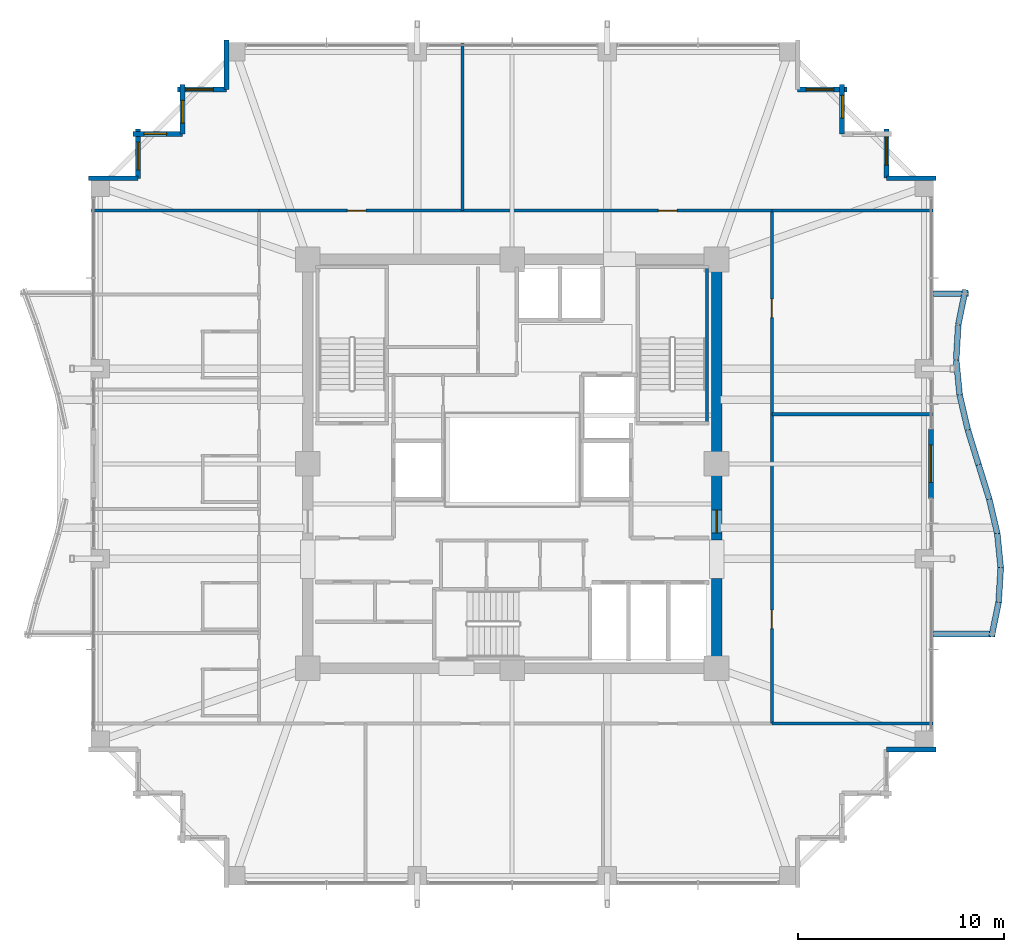
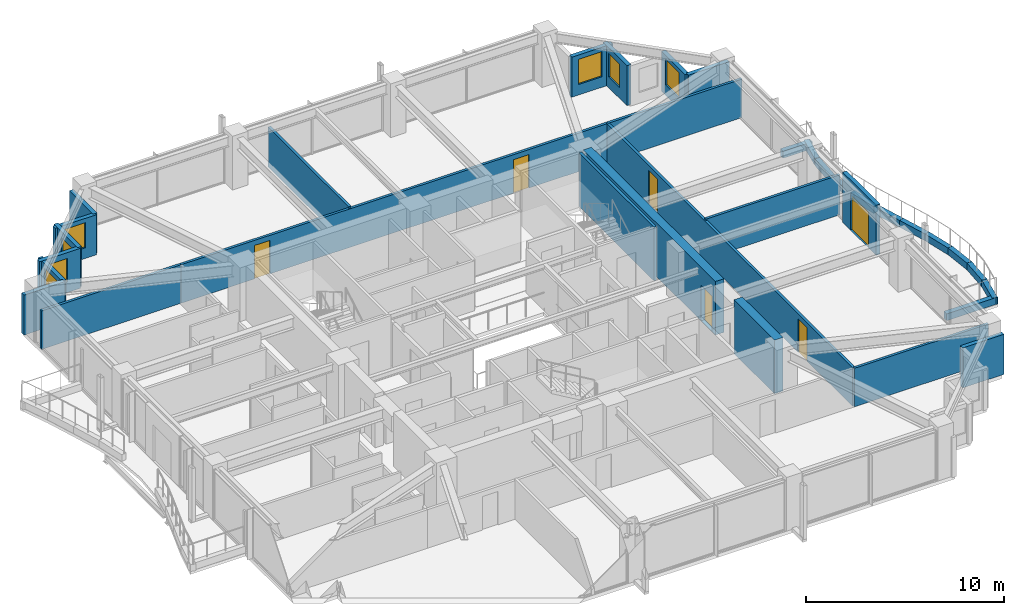
# One storey, part 32 of 35: 34 walls, 7 windows, 6 doors, 13 openings.
"""IFC4 building model written with IfcOpenShell, lengths in metres."""

from ifc_helpers import new_model, si_unit, direction, frame, frame_2d, origin, place, context, subcontext, project, spatial, rectangle, extrude, material, layer, layer_set, type_object, element, fill, save


model = new_model("IFC4")

# Units and contexts
model_context = context("Model", 3, precision=1e-05, world=origin(), true_north=direction((0.0, 1.0)))
body_context = subcontext(model_context, "Body", "Model", "MODEL_VIEW")
ifc_project = project(units=[si_unit("LENGTHUNIT", "METRE"), si_unit("AREAUNIT", "SQUARE_METRE"), si_unit("VOLUMEUNIT", "CUBIC_METRE"), si_unit("PLANEANGLEUNIT", "RADIAN"), si_unit("MASSUNIT", "GRAM", prefix="KILO")], contexts=[model_context])

# Site, building, storey
site_placement = place(None, origin())
site = spatial("IfcSite", under=ifc_project, at=site_placement, CompositionType="ELEMENT")
building_placement = place(site_placement, origin())
building = spatial("IfcBuilding", under=site, at=building_placement, Name="Kolvaren Belvedere", CompositionType="ELEMENT")
storey_placement = place(building_placement, frame((0.0, 0.0, 183.300048828125)))
storey = spatial("IfcBuildingStorey", under=building, at=storey_placement, Name="L53", CompositionType="ELEMENT", Elevation=183.300048828125)

# Wall
ifc_material_1 = material(Name="Concrete C50/60", Category="concrete")
ifc_layer_1 = layer(ifc_material_1, 0.5)
ifc_layer_set_1 = layer_set([ifc_layer_1], Name="Concrete C50/60")
wall_type_1 = type_object("IfcWallType", Name="CW-CORE-500", PredefinedType="SHEAR", material=ifc_layer_set_1)
wall_1_placement = place(storey_placement, frame((9.89990234375, -9.64990234375, 0.0), z_axis=(0.0, 0.0, 1.0), x_axis=(0.0, 1.0, 0.0)))
element("IfcWall", 1, at=wall_1_placement, inside=storey, type_object=wall_type_1, Name="L53 East Core Shear Wall 1", PredefinedType="SHEAR", context=body_context, shape_type="SweptSolid", body=[
    extrude(rectangle(XDim=4.099853515625, YDim=0.5, at=frame_2d((2.0498046875, 0.0))), origin(), (0.0, 0.0, 1.0), 3.300048828125),
])

# Wall, opening, door
wall_2_placement = place(storey_placement, frame((9.89990234375, -3.699951171875, 0.0), z_axis=(0.0, 0.0, 1.0), x_axis=(0.0, 1.0, 0.0)))
wall_2 = element("IfcWall", 2, at=wall_2_placement, inside=storey, type_object=wall_type_1, Name="L53 East Core Shear Wall 2", PredefinedType="SHEAR", context=body_context, shape_type="SweptSolid", body=[
    extrude(rectangle(XDim=13.349853515625, YDim=0.5, at=frame_2d((6.6748046875, 0.0))), origin(), (0.0, 0.0, 1.0), 3.300048828125),
])
opening_1_placement = place(wall_2_placement, frame((0.35009765625, 0.0, 0.0)))
opening_1 = element("IfcOpeningElement", 3, at=opening_1_placement, cuts=wall_2, Name="Opening D-FD90", PredefinedType="OPENING", context=body_context, shape_type="SweptSolid", body=[
    extrude(rectangle(XDim=1.10009765625, YDim=2.199951171875, at=frame_2d((0.550048828125, 1.10009765625))), frame((0.0, 0.260009765625, 0.0), z_axis=(0.0, -1.0, 0.0), x_axis=(1.0, 0.0, 0.0)), (0.0, 0.0, 1.0), 0.52001953125),
])
ifc_material_2 = material(Name="Painted hollow stainless steel", Category="steel")
door_type_1 = type_object("IfcDoorType", Name="DR-FD90-1100", OperationType="NOTDEFINED", PredefinedType="DOOR", material=ifc_material_2)
door_1_placement = place(opening_1_placement, origin())
door_1 = element("IfcDoor", 4, at=door_1_placement, inside=storey, type_object=door_type_1, Name="L53 East Firefighting Lobby Fire Door", OperationType="SINGLE_SWING_RIGHT", OverallHeight=2.199951171875, OverallWidth=1.10009765625, PredefinedType="DOOR", context=body_context, shape_type="SweptSolid", body=[
    extrude(rectangle(XDim=1.10009765625, YDim=2.199951171875, at=frame_2d((0.550048828125, 1.10009765625))), frame((0.0, 0.02490234375, 0.0), z_axis=(0.0, -1.0, 0.0), x_axis=(1.0, 0.0, 0.0)), (0.0, 0.0, 1.0), 0.050048828125),
])
fill(opening_1, door_1)

# Wall
ifc_material_3 = material(Name="Concrete C50/60", Category="concrete")
ifc_layer_2 = layer(ifc_material_3, 0.159912109375)
ifc_layer_set_2 = layer_set([ifc_layer_2], Name="Concrete C50/60")
wall_type_2 = type_object("IfcWallType", Name="CW-STAIR-160", PredefinedType="SHEAR", material=ifc_layer_set_2)
wall_3_placement = place(storey_placement, frame((9.429931640625, 1.969970703125, 0.0), z_axis=(0.0, 0.0, 1.0), x_axis=(0.0, 1.0, 0.0)))
element("IfcWall", 5, at=wall_3_placement, inside=storey, type_object=wall_type_2, Name="L53 Stair ST-2 East Shear Wall", PredefinedType="SHEAR", context=body_context, shape_type="SweptSolid", body=[
    extrude(rectangle(XDim=7.56005859375, YDim=0.159912109375, at=frame_2d((3.780029296875, 0.0))), origin(), (0.0, 0.0, 1.0), 3.300048828125),
])

# Wall, openings, doors
ifc_material_4 = material(Name="Gypsum fire-rated partition assembly", Category="gypsum")
ifc_layer_3 = layer(ifc_material_4, 0.14990234375)
ifc_layer_set_3 = layer_set([ifc_layer_3], Name="Gypsum fire-rated partition assembly")
wall_type_3 = type_object("IfcWallType", Name="WL-CORR-150", PredefinedType="PARTITIONING", material=ifc_layer_set_3)
wall_4_placement = place(storey_placement, frame((-12.260009765625, 12.260009765625, 0.0), z_axis=(0.0, 0.0, 1.0), x_axis=(1.0, 0.0, 0.0)))
wall_4 = element("IfcWall", 6, at=wall_4_placement, inside=storey, type_object=wall_type_3, Name="L53 North Corridor Wall", PredefinedType="PARTITIONING", context=body_context, shape_type="SweptSolid", body=[
    extrude(rectangle(XDim=24.840087890625, YDim=0.14990234375, at=frame_2d((12.419921875, 0.0))), origin(), (0.0, 0.0, 1.0), 2.368896484375),
])
opening_2_placement = place(wall_4_placement, frame((4.27490234375, 0.0, 0.0)))
opening_2 = element("IfcOpeningElement", 7, at=opening_2_placement, cuts=wall_4, Name="Opening D-INT90", PredefinedType="OPENING", context=body_context, shape_type="SweptSolid", body=[
    extrude(rectangle(XDim=0.89990234375, YDim=2.06005859375, at=frame_2d((0.449951171875, 1.030029296875))), frame((0.0, 0.0849609375, 0.0), z_axis=(0.0, -1.0, 0.0), x_axis=(1.0, 0.0, 0.0)), (0.0, 0.0, 1.0), 0.169921875),
])
opening_3_placement = place(wall_4_placement, frame((19.344970703125, 0.0, 0.0)))
opening_3 = element("IfcOpeningElement", 8, at=opening_3_placement, cuts=wall_4, Name="Opening D-INT90", PredefinedType="OPENING", context=body_context, shape_type="SweptSolid", body=[
    extrude(rectangle(XDim=0.89990234375, YDim=2.06005859375, at=frame_2d((0.449951171875, 1.030029296875))), frame((0.0, 0.0849609375, 0.0), z_axis=(0.0, -1.0, 0.0), x_axis=(1.0, 0.0, 0.0)), (0.0, 0.0, 1.0), 0.169921875),
])
ifc_material_5 = material(Name="Stained Pacific white oak", Category="timber")
door_type_2 = type_object("IfcDoorType", Name="DR-INT-900", OperationType="NOTDEFINED", PredefinedType="DOOR", material=ifc_material_5)
door_2_placement = place(opening_2_placement, origin())
door_2 = element("IfcDoor", 9, at=door_2_placement, inside=storey, type_object=door_type_2, Name="L53 Lounge 5311 Door", OperationType="SINGLE_SWING_LEFT", OverallHeight=2.06005859375, OverallWidth=0.89990234375, PredefinedType="DOOR", context=body_context, shape_type="SweptSolid", body=[
    extrude(rectangle(XDim=0.89990234375, YDim=2.06005859375, at=frame_2d((0.449951171875, 1.030029296875))), frame((0.0, 0.02490234375, 0.0), z_axis=(0.0, -1.0, 0.0), x_axis=(1.0, 0.0, 0.0)), (0.0, 0.0, 1.0), 0.050048828125),
])
fill(opening_2, door_2)
door_3_placement = place(opening_3_placement, origin())
door_3 = element("IfcDoor", 10, at=door_3_placement, inside=storey, type_object=door_type_2, Name="L53 Lounge 5312 Door", OperationType="SINGLE_SWING_RIGHT", OverallHeight=2.06005859375, OverallWidth=0.89990234375, PredefinedType="DOOR", context=body_context, shape_type="SweptSolid", body=[
    extrude(rectangle(XDim=0.89990234375, YDim=2.06005859375, at=frame_2d((0.449951171875, 1.030029296875))), frame((0.0, 0.02490234375, 0.0), z_axis=(0.0, -1.0, 0.0), x_axis=(1.0, 0.0, 0.0)), (0.0, 0.0, 1.0), 0.050048828125),
])
fill(opening_3, door_3)

wall_5_placement = place(storey_placement, frame((12.580078125, -12.580078125, 0.0), z_axis=(0.0, 0.0, 1.0), x_axis=(0.0, 1.0, 0.0)))
wall_5 = element("IfcWall", 11, at=wall_5_placement, inside=storey, type_object=wall_type_3, Name="L53 East Corridor Wall", PredefinedType="PARTITIONING", context=body_context, shape_type="SweptSolid", body=[
    extrude(rectangle(XDim=24.840087890625, YDim=0.14990234375, at=frame_2d((12.419921875, 0.0))), origin(), (0.0, 0.0, 1.0), 2.368896484375),
])
opening_4_placement = place(wall_5_placement, frame((4.594970703125, 0.0, 0.0)))
opening_4 = element("IfcOpeningElement", 12, at=opening_4_placement, cuts=wall_5, Name="Opening D-INT90", PredefinedType="OPENING", context=body_context, shape_type="SweptSolid", body=[
    extrude(rectangle(XDim=0.89990234375, YDim=2.06005859375, at=frame_2d((0.449951171875, 1.030029296875))), frame((0.0, 0.0849609375, 0.0), z_axis=(0.0, -1.0, 0.0), x_axis=(1.0, 0.0, 0.0)), (0.0, 0.0, 1.0), 0.169921875),
])
opening_5_placement = place(wall_5_placement, frame((19.6650390625, 0.0, 0.0)))
opening_5 = element("IfcOpeningElement", 13, at=opening_5_placement, cuts=wall_5, Name="Opening D-INT90", PredefinedType="OPENING", context=body_context, shape_type="SweptSolid", body=[
    extrude(rectangle(XDim=0.89990234375, YDim=2.06005859375, at=frame_2d((0.449951171875, 1.030029296875))), frame((0.0, 0.0849609375, 0.0), z_axis=(0.0, -1.0, 0.0), x_axis=(1.0, 0.0, 0.0)), (0.0, 0.0, 1.0), 0.169921875),
])
door_4_placement = place(opening_4_placement, origin())
door_4 = element("IfcDoor", 14, at=door_4_placement, inside=storey, type_object=door_type_2, Name="L53 Lounge 5304 Door", OperationType="SINGLE_SWING_RIGHT", OverallHeight=2.06005859375, OverallWidth=0.89990234375, PredefinedType="DOOR", context=body_context, shape_type="SweptSolid", body=[
    extrude(rectangle(XDim=0.89990234375, YDim=2.06005859375, at=frame_2d((0.449951171875, 1.030029296875))), frame((0.0, 0.02490234375, 0.0), z_axis=(0.0, -1.0, 0.0), x_axis=(1.0, 0.0, 0.0)), (0.0, 0.0, 1.0), 0.050048828125),
])
fill(opening_4, door_4)
door_5_placement = place(opening_5_placement, origin())
door_5 = element("IfcDoor", 15, at=door_5_placement, inside=storey, type_object=door_type_2, Name="L53 Private Hospitality Meeting Room 5305 Door", OperationType="SINGLE_SWING_LEFT", OverallHeight=2.06005859375, OverallWidth=0.89990234375, PredefinedType="DOOR", context=body_context, shape_type="SweptSolid", body=[
    extrude(rectangle(XDim=0.89990234375, YDim=2.06005859375, at=frame_2d((0.449951171875, 1.030029296875))), frame((0.0, 0.02490234375, 0.0), z_axis=(0.0, -1.0, 0.0), x_axis=(1.0, 0.0, 0.0)), (0.0, 0.0, 1.0), 0.050048828125),
])
fill(opening_5, door_5)

# Wall
ifc_material_6 = material(Name="Insulated pale-metal facade wall assembly", Category="aluminium")
ifc_layer_4 = layer(ifc_material_6, 0.239990234375)
ifc_layer_set_4 = layer_set([ifc_layer_4], Name="Insulated pale-metal facade wall assembly")
wall_type_4 = type_object("IfcWallType", Name="WL-EXT-240", PredefinedType="STANDARD", material=ifc_layer_set_4)
wall_6_placement = place(storey_placement, frame((20.52001953125, -13.830078125, 0.0), z_axis=(0.0, 0.0, 1.0), x_axis=(-1.0, 0.0, 0.0)))
element("IfcWall", 16, at=wall_6_placement, inside=storey, type_object=wall_type_4, Name="L53 Serrated Corner Facade Wall 7", PredefinedType="STANDARD", context=body_context, shape_type="SweptSolid", body=[
    extrude(rectangle(XDim=2.39013671875, YDim=0.239990234375, at=frame_2d((1.195068359375, 0.0))), origin(), (0.0, 0.0, 1.0), 2.462890625),
])

# Wall, opening, door
wall_7_placement = place(storey_placement, frame((20.280029296875, 1.679931640625, 0.0), z_axis=(0.0, 0.0, 1.0), x_axis=(0.0, -1.0, 0.0)))
wall_7 = element("IfcWall", 17, at=wall_7_placement, inside=storey, type_object=wall_type_4, Name="L53 East Terrace Portal Wall", PredefinedType="STANDARD", context=body_context, shape_type="SweptSolid", body=[
    extrude(rectangle(XDim=3.35986328125, YDim=0.239990234375, at=frame_2d((1.679931640625, 0.0))), origin(), (0.0, 0.0, 1.0), 3.079833984375),
])
opening_6_placement = place(wall_7_placement, frame((0.780029296875, 0.0, 0.0)))
opening_6 = element("IfcOpeningElement", 18, at=opening_6_placement, cuts=wall_7, Name="Opening DB-1800", PredefinedType="OPENING", context=body_context, shape_type="SweptSolid", body=[
    extrude(rectangle(XDim=1.800048828125, YDim=2.199951171875, at=frame_2d((0.89990234375, 1.10009765625))), frame((0.0, 0.1298828125, 0.0), z_axis=(0.0, -1.0, 0.0), x_axis=(1.0, 0.0, 0.0)), (0.0, 0.0, 1.0), 0.260009765625),
])
ifc_material_7 = material(Name="Thermally broken pale-metal aluminium & low-iron glass", Category="aluminium")
door_type_3 = type_object("IfcDoorType", Name="DR-BAL-1800", OperationType="DOUBLE_DOOR_SLIDING", PredefinedType="DOOR", material=ifc_material_7)
door_6_placement = place(opening_6_placement, origin())
door_6 = element("IfcDoor", 19, at=door_6_placement, inside=storey, type_object=door_type_3, Name="L53 East Planted Terrace Sliding Door", OperationType="DOUBLE_DOOR_SLIDING", OverallHeight=2.199951171875, OverallWidth=1.800048828125, PredefinedType="DOOR", context=body_context, shape_type="SweptSolid", body=[
    extrude(rectangle(XDim=1.800048828125, YDim=2.199951171875, at=frame_2d((0.89990234375, 1.10009765625))), frame((0.0, 0.02490234375, 0.0), z_axis=(0.0, -1.0, 0.0), x_axis=(1.0, 0.0, 0.0)), (0.0, 0.0, 1.0), 0.050048828125),
])
fill(opening_6, door_6)

# Wall
wall_8_placement = place(storey_placement, frame((18.1298828125, 13.830078125, 0.0), z_axis=(0.0, 0.0, 1.0), x_axis=(1.0, 0.0, 0.0)))
element("IfcWall", 20, at=wall_8_placement, inside=storey, type_object=wall_type_4, Name="L53 Serrated Corner Facade Wall 9", PredefinedType="STANDARD", context=body_context, shape_type="SweptSolid", body=[
    extrude(rectangle(XDim=2.39013671875, YDim=0.239990234375, at=frame_2d((1.195068359375, 0.0))), origin(), (0.0, 0.0, 1.0), 2.462890625),
])

# Wall, opening, window
wall_9_placement = place(storey_placement, frame((18.1298828125, 16.219970703125, 0.0), z_axis=(0.0, 0.0, 1.0), x_axis=(0.0, -1.0, 0.0)))
wall_9 = element("IfcWall", 21, at=wall_9_placement, inside=storey, type_object=wall_type_4, Name="L53 Serrated Corner Facade Wall 10", PredefinedType="STANDARD", context=body_context, shape_type="SweptSolid", body=[
    extrude(rectangle(XDim=2.389892578125, YDim=0.239990234375, at=frame_2d((1.19482421875, 0.0))), origin(), (0.0, 0.0, 1.0), 2.462890625),
])
opening_7_placement = place(wall_9_placement, frame((0.39990234375, 0.0, 0.64990234375)))
opening_7 = element("IfcOpeningElement", 22, at=opening_7_placement, cuts=wall_9, Name="Opening W-1350", PredefinedType="OPENING", context=body_context, shape_type="SweptSolid", body=[
    extrude(rectangle(XDim=1.35009765625, YDim=1.550048828125, at=frame_2d((0.675048828125, 0.77490234375))), frame((0.0, 0.1298828125, 0.0), z_axis=(0.0, -1.0, 0.0), x_axis=(1.0, 0.0, 0.0)), (0.0, 0.0, 1.0), 0.260009765625),
])
ifc_material_8 = material(Name="Low-iron triple insulated glass", Category="glass")
window_type_1 = type_object("IfcWindowType", Name="WN-CORN-1350", PartitioningType="SINGLE_PANEL", PredefinedType="WINDOW", material=ifc_material_8)
window_1_placement = place(opening_7_placement, origin())
window_1 = element("IfcWindow", 23, at=window_1_placement, inside=storey, type_object=window_type_1, Name="L53 Serrated Corner Vision Window 10", OverallHeight=1.550048828125, OverallWidth=1.35009765625, PartitioningType="SINGLE_PANEL", PredefinedType="WINDOW", context=body_context, shape_type="SweptSolid", body=[
    extrude(rectangle(XDim=1.35009765625, YDim=1.550048828125, at=frame_2d((0.675048828125, 0.77490234375))), frame((0.0, 0.030029296875, 0.0), z_axis=(0.0, -1.0, 0.0), x_axis=(1.0, 0.0, 0.0)), (0.0, 0.0, 1.0), 0.06005859375),
])
fill(opening_7, window_1)

wall_10_placement = place(storey_placement, frame((15.97998046875, 18.3701171875, 0.0), z_axis=(0.0, 0.0, 1.0), x_axis=(0.0, -1.0, 0.0)))
wall_10 = element("IfcWall", 24, at=wall_10_placement, inside=storey, type_object=wall_type_4, Name="L53 Serrated Corner Facade Wall 12", PredefinedType="STANDARD", context=body_context, shape_type="SweptSolid", body=[
    extrude(rectangle(XDim=2.39013671875, YDim=0.239990234375, at=frame_2d((1.195068359375, 0.0))), origin(), (0.0, 0.0, 1.0), 2.462890625),
])
opening_8_placement = place(wall_10_placement, frame((0.52490234375, 0.0, 0.64990234375)))
opening_8 = element("IfcOpeningElement", 25, at=opening_8_placement, cuts=wall_10, Name="Opening W-1100", PredefinedType="OPENING", context=body_context, shape_type="SweptSolid", body=[
    extrude(rectangle(XDim=1.10009765625, YDim=1.449951171875, at=frame_2d((0.550048828125, 0.72509765625))), frame((0.0, 0.1298828125, 0.0), z_axis=(0.0, -1.0, 0.0), x_axis=(1.0, 0.0, 0.0)), (0.0, 0.0, 1.0), 0.260009765625),
])
ifc_material_9 = material(Name="Low-iron triple insulated glass", Category="glass")
window_type_2 = type_object("IfcWindowType", Name="WN-CORN-1100", PartitioningType="SINGLE_PANEL", PredefinedType="WINDOW", material=ifc_material_9)
window_2_placement = place(opening_8_placement, origin())
window_2 = element("IfcWindow", 26, at=window_2_placement, inside=storey, type_object=window_type_2, Name="L53 Serrated Corner Vision Window 12", OverallHeight=1.449951171875, OverallWidth=1.10009765625, PartitioningType="SINGLE_PANEL", PredefinedType="WINDOW", context=body_context, shape_type="SweptSolid", body=[
    extrude(rectangle(XDim=1.10009765625, YDim=1.449951171875, at=frame_2d((0.550048828125, 0.72509765625))), frame((0.0, 0.030029296875, 0.0), z_axis=(0.0, -1.0, 0.0), x_axis=(1.0, 0.0, 0.0)), (0.0, 0.0, 1.0), 0.06005859375),
])
fill(opening_8, window_2)

wall_11_placement = place(storey_placement, frame((13.830078125, 18.1298828125, 0.0), z_axis=(0.0, 0.0, 1.0), x_axis=(1.0, 0.0, 0.0)))
wall_11 = element("IfcWall", 27, at=wall_11_placement, inside=storey, type_object=wall_type_4, Name="L53 Serrated Corner Facade Wall 13", PredefinedType="STANDARD", context=body_context, shape_type="SweptSolid", body=[
    extrude(rectangle(XDim=2.389892578125, YDim=0.239990234375, at=frame_2d((1.19482421875, 0.0))), origin(), (0.0, 0.0, 1.0), 2.462890625),
])
opening_9_placement = place(wall_11_placement, frame((0.39990234375, 0.0, 0.64990234375)))
opening_9 = element("IfcOpeningElement", 28, at=opening_9_placement, cuts=wall_11, Name="Opening W-1350", PredefinedType="OPENING", context=body_context, shape_type="SweptSolid", body=[
    extrude(rectangle(XDim=1.35009765625, YDim=1.550048828125, at=frame_2d((0.675048828125, 0.77490234375))), frame((0.0, 0.1298828125, 0.0), z_axis=(0.0, -1.0, 0.0), x_axis=(1.0, 0.0, 0.0)), (0.0, 0.0, 1.0), 0.260009765625),
])
window_3_placement = place(opening_9_placement, origin())
window_3 = element("IfcWindow", 29, at=window_3_placement, inside=storey, type_object=window_type_1, Name="L53 Serrated Corner Vision Window 13", OverallHeight=1.550048828125, OverallWidth=1.35009765625, PartitioningType="SINGLE_PANEL", PredefinedType="WINDOW", context=body_context, shape_type="SweptSolid", body=[
    extrude(rectangle(XDim=1.35009765625, YDim=1.550048828125, at=frame_2d((0.675048828125, 0.77490234375))), frame((0.0, 0.030029296875, 0.0), z_axis=(0.0, -1.0, 0.0), x_axis=(1.0, 0.0, 0.0)), (0.0, 0.0, 1.0), 0.06005859375),
])
fill(opening_9, window_3)

# Wall
wall_12_placement = place(storey_placement, frame((-13.830078125, 18.1298828125, 0.0), z_axis=(0.0, 0.0, 1.0), x_axis=(0.0, 1.0, 0.0)))
element("IfcWall", 30, at=wall_12_placement, inside=storey, type_object=wall_type_4, Name="L53 Serrated Corner Facade Wall 16", PredefinedType="STANDARD", context=body_context, shape_type="SweptSolid", body=[
    extrude(rectangle(XDim=2.39013671875, YDim=0.239990234375, at=frame_2d((1.195068359375, 0.0))), origin(), (0.0, 0.0, 1.0), 2.462890625),
])

# Wall, opening, window
wall_13_placement = place(storey_placement, frame((-16.219970703125, 18.1298828125, 0.0), z_axis=(0.0, 0.0, 1.0), x_axis=(1.0, 0.0, 0.0)))
wall_13 = element("IfcWall", 31, at=wall_13_placement, inside=storey, type_object=wall_type_4, Name="L53 Serrated Corner Facade Wall 17", PredefinedType="STANDARD", context=body_context, shape_type="SweptSolid", body=[
    extrude(rectangle(XDim=2.389892578125, YDim=0.239990234375, at=frame_2d((1.19482421875, 0.0))), origin(), (0.0, 0.0, 1.0), 2.462890625),
])
opening_10_placement = place(wall_13_placement, frame((0.39990234375, 0.0, 0.64990234375)))
opening_10 = element("IfcOpeningElement", 32, at=opening_10_placement, cuts=wall_13, Name="Opening W-1350", PredefinedType="OPENING", context=body_context, shape_type="SweptSolid", body=[
    extrude(rectangle(XDim=1.35009765625, YDim=1.550048828125, at=frame_2d((0.675048828125, 0.77490234375))), frame((0.0, 0.1298828125, 0.0), z_axis=(0.0, -1.0, 0.0), x_axis=(1.0, 0.0, 0.0)), (0.0, 0.0, 1.0), 0.260009765625),
])
window_4_placement = place(opening_10_placement, origin())
window_4 = element("IfcWindow", 33, at=window_4_placement, inside=storey, type_object=window_type_1, Name="L53 Serrated Corner Vision Window 17", OverallHeight=1.550048828125, OverallWidth=1.35009765625, PartitioningType="SINGLE_PANEL", PredefinedType="WINDOW", context=body_context, shape_type="SweptSolid", body=[
    extrude(rectangle(XDim=1.35009765625, YDim=1.550048828125, at=frame_2d((0.675048828125, 0.77490234375))), frame((0.0, 0.030029296875, 0.0), z_axis=(0.0, -1.0, 0.0), x_axis=(1.0, 0.0, 0.0)), (0.0, 0.0, 1.0), 0.06005859375),
])
fill(opening_10, window_4)

wall_14_placement = place(storey_placement, frame((-15.97998046875, 15.97998046875, 0.0), z_axis=(0.0, 0.0, 1.0), x_axis=(0.0, 1.0, 0.0)))
wall_14 = element("IfcWall", 34, at=wall_14_placement, inside=storey, type_object=wall_type_4, Name="L53 Serrated Corner Facade Wall 18", PredefinedType="STANDARD", context=body_context, shape_type="SweptSolid", body=[
    extrude(rectangle(XDim=2.39013671875, YDim=0.239990234375, at=frame_2d((1.195068359375, 0.0))), origin(), (0.0, 0.0, 1.0), 2.462890625),
])
opening_11_placement = place(wall_14_placement, frame((0.52490234375, 0.0, 0.64990234375)))
opening_11 = element("IfcOpeningElement", 35, at=opening_11_placement, cuts=wall_14, Name="Opening W-1100", PredefinedType="OPENING", context=body_context, shape_type="SweptSolid", body=[
    extrude(rectangle(XDim=1.10009765625, YDim=1.449951171875, at=frame_2d((0.550048828125, 0.72509765625))), frame((0.0, 0.1298828125, 0.0), z_axis=(0.0, -1.0, 0.0), x_axis=(1.0, 0.0, 0.0)), (0.0, 0.0, 1.0), 0.260009765625),
])
window_5_placement = place(opening_11_placement, origin())
window_5 = element("IfcWindow", 36, at=window_5_placement, inside=storey, type_object=window_type_2, Name="L53 Serrated Corner Vision Window 18", OverallHeight=1.449951171875, OverallWidth=1.10009765625, PartitioningType="SINGLE_PANEL", PredefinedType="WINDOW", context=body_context, shape_type="SweptSolid", body=[
    extrude(rectangle(XDim=1.10009765625, YDim=1.449951171875, at=frame_2d((0.550048828125, 0.72509765625))), frame((0.0, 0.030029296875, 0.0), z_axis=(0.0, -1.0, 0.0), x_axis=(1.0, 0.0, 0.0)), (0.0, 0.0, 1.0), 0.06005859375),
])
fill(opening_11, window_5)

wall_15_placement = place(storey_placement, frame((-18.3701171875, 15.97998046875, 0.0), z_axis=(0.0, 0.0, 1.0), x_axis=(1.0, 0.0, 0.0)))
wall_15 = element("IfcWall", 37, at=wall_15_placement, inside=storey, type_object=wall_type_4, Name="L53 Serrated Corner Facade Wall 19", PredefinedType="STANDARD", context=body_context, shape_type="SweptSolid", body=[
    extrude(rectangle(XDim=2.39013671875, YDim=0.239990234375, at=frame_2d((1.195068359375, 0.0))), origin(), (0.0, 0.0, 1.0), 2.462890625),
])
opening_12_placement = place(wall_15_placement, frame((0.52490234375, 0.0, 0.64990234375)))
opening_12 = element("IfcOpeningElement", 38, at=opening_12_placement, cuts=wall_15, Name="Opening W-1100", PredefinedType="OPENING", context=body_context, shape_type="SweptSolid", body=[
    extrude(rectangle(XDim=1.10009765625, YDim=1.449951171875, at=frame_2d((0.550048828125, 0.72509765625))), frame((0.0, 0.1298828125, 0.0), z_axis=(0.0, -1.0, 0.0), x_axis=(1.0, 0.0, 0.0)), (0.0, 0.0, 1.0), 0.260009765625),
])
window_6_placement = place(opening_12_placement, origin())
window_6 = element("IfcWindow", 39, at=window_6_placement, inside=storey, type_object=window_type_2, Name="L53 Serrated Corner Vision Window 19", OverallHeight=1.449951171875, OverallWidth=1.10009765625, PartitioningType="SINGLE_PANEL", PredefinedType="WINDOW", context=body_context, shape_type="SweptSolid", body=[
    extrude(rectangle(XDim=1.10009765625, YDim=1.449951171875, at=frame_2d((0.550048828125, 0.72509765625))), frame((0.0, 0.030029296875, 0.0), z_axis=(0.0, -1.0, 0.0), x_axis=(1.0, 0.0, 0.0)), (0.0, 0.0, 1.0), 0.06005859375),
])
fill(opening_12, window_6)

wall_16_placement = place(storey_placement, frame((-18.1298828125, 13.830078125, 0.0), z_axis=(0.0, 0.0, 1.0), x_axis=(0.0, 1.0, 0.0)))
wall_16 = element("IfcWall", 40, at=wall_16_placement, inside=storey, type_object=wall_type_4, Name="L53 Serrated Corner Facade Wall 20", PredefinedType="STANDARD", context=body_context, shape_type="SweptSolid", body=[
    extrude(rectangle(XDim=2.389892578125, YDim=0.239990234375, at=frame_2d((1.19482421875, 0.0))), origin(), (0.0, 0.0, 1.0), 2.462890625),
])
opening_13_placement = place(wall_16_placement, frame((0.39990234375, 0.0, 0.64990234375)))
opening_13 = element("IfcOpeningElement", 41, at=opening_13_placement, cuts=wall_16, Name="Opening W-1350", PredefinedType="OPENING", context=body_context, shape_type="SweptSolid", body=[
    extrude(rectangle(XDim=1.35009765625, YDim=1.550048828125, at=frame_2d((0.675048828125, 0.77490234375))), frame((0.0, 0.1298828125, 0.0), z_axis=(0.0, -1.0, 0.0), x_axis=(1.0, 0.0, 0.0)), (0.0, 0.0, 1.0), 0.260009765625),
])
window_7_placement = place(opening_13_placement, origin())
window_7 = element("IfcWindow", 42, at=window_7_placement, inside=storey, type_object=window_type_1, Name="L53 Serrated Corner Vision Window 20", OverallHeight=1.550048828125, OverallWidth=1.35009765625, PartitioningType="SINGLE_PANEL", PredefinedType="WINDOW", context=body_context, shape_type="SweptSolid", body=[
    extrude(rectangle(XDim=1.35009765625, YDim=1.550048828125, at=frame_2d((0.675048828125, 0.77490234375))), frame((0.0, 0.030029296875, 0.0), z_axis=(0.0, -1.0, 0.0), x_axis=(1.0, 0.0, 0.0)), (0.0, 0.0, 1.0), 0.06005859375),
])
fill(opening_13, window_7)

# Walls
wall_17_placement = place(storey_placement, frame((-20.52001953125, 13.830078125, 0.0), z_axis=(0.0, 0.0, 1.0), x_axis=(1.0, 0.0, 0.0)))
element("IfcWall", 43, at=wall_17_placement, inside=storey, type_object=wall_type_4, Name="L53 Serrated Corner Facade Wall 21", PredefinedType="STANDARD", context=body_context, shape_type="SweptSolid", body=[
    extrude(rectangle(XDim=2.39013671875, YDim=0.239990234375, at=frame_2d((1.195068359375, 0.0))), origin(), (0.0, 0.0, 1.0), 2.462890625),
])
ifc_material_10 = material(Name="Gypsum acoustic partition assembly", Category="gypsum")
ifc_layer_5 = layer(ifc_material_10, 0.14990234375)
ifc_layer_set_5 = layer_set([ifc_layer_5], Name="Gypsum acoustic partition assembly")
wall_type_5 = type_object("IfcWallType", Name="WL-PART-150", PredefinedType="PARTITIONING", material=ifc_layer_set_5)
wall_18_placement = place(storey_placement, frame((12.580078125, -12.580078125, 0.0), z_axis=(0.0, 0.0, 1.0), x_axis=(1.0, 0.0, 0.0)))
element("IfcWall", 44, at=wall_18_placement, inside=storey, type_object=wall_type_5, Name="L53 Wing Divider PW-L53-QSE", PredefinedType="PARTITIONING", context=body_context, shape_type="SweptSolid", body=[
    extrude(rectangle(XDim=7.7998046875, YDim=0.14990234375, at=frame_2d((3.89990234375, 0.0))), origin(), (0.0, 0.0, 1.0), 2.368896484375),
])
wall_19_placement = place(storey_placement, frame((-20.3798828125, 12.260009765625, 0.0), z_axis=(0.0, 0.0, 1.0), x_axis=(1.0, 0.0, 0.0)))
element("IfcWall", 45, at=wall_19_placement, inside=storey, type_object=wall_type_5, Name="L53 Wing Divider PW-L53-QNW", PredefinedType="PARTITIONING", context=body_context, shape_type="SweptSolid", body=[
    extrude(rectangle(XDim=8.119873046875, YDim=0.14990234375, at=frame_2d((4.06005859375, 0.0))), origin(), (0.0, 0.0, 1.0), 2.368896484375),
])
wall_20_placement = place(storey_placement, frame((12.580078125, 12.260009765625, 0.0), z_axis=(0.0, 0.0, 1.0), x_axis=(1.0, 0.0, 0.0)))
element("IfcWall", 46, at=wall_20_placement, inside=storey, type_object=wall_type_5, Name="L53 Wing Divider PW-L53-QNE", PredefinedType="PARTITIONING", context=body_context, shape_type="SweptSolid", body=[
    extrude(rectangle(XDim=7.7998046875, YDim=0.14990234375, at=frame_2d((3.89990234375, 0.0))), origin(), (0.0, 0.0, 1.0), 2.368896484375),
])
wall_21_placement = place(storey_placement, frame((12.580078125, 2.39990234375, 0.0), z_axis=(0.0, 0.0, 1.0), x_axis=(1.0, 0.0, 0.0)))
element("IfcWall", 47, at=wall_21_placement, inside=storey, type_object=wall_type_5, Name="L53 East Suite Demising Wall 1", PredefinedType="PARTITIONING", context=body_context, shape_type="SweptSolid", body=[
    extrude(rectangle(XDim=7.7998046875, YDim=0.14990234375, at=frame_2d((3.89990234375, 0.0))), origin(), (0.0, 0.0, 1.0), 2.452880859375),
])
wall_22_placement = place(storey_placement, frame((-2.39990234375, 12.260009765625, 0.0), z_axis=(0.0, 0.0, 1.0), x_axis=(0.0, 1.0, 0.0)))
element("IfcWall", 48, at=wall_22_placement, inside=storey, type_object=wall_type_5, Name="L53 North Suite Demising Wall 1", PredefinedType="PARTITIONING", context=body_context, shape_type="SweptSolid", body=[
    extrude(rectangle(XDim=8.119873046875, YDim=0.14990234375, at=frame_2d((4.06005859375, 0.0))), origin(), (0.0, 0.0, 1.0), 2.452880859375),
])
ifc_material_11 = material(Name="Precast concrete C40/50", Category="concrete")
ifc_layer_6 = layer(ifc_material_11, 0.300048828125)
ifc_layer_set_6 = layer_set([ifc_layer_6], Name="Precast concrete C40/50")
wall_type_6 = type_object("IfcWallType", Name="WL-PLANTER-300", PredefinedType="PARAPET", material=ifc_layer_set_6)
wall_23_placement = place(storey_placement, frame((23.218017578125, -8.367919921875, -0.0400390625), z_axis=(0.0, 0.0, 1.0), x_axis=(0.199647526069, 0.979867779516, 0.0)))
element("IfcWall", 49, at=wall_23_placement, inside=storey, type_object=wall_type_6, Name="L53 Precast Structural Planter Wall BAL-E-1", PredefinedType="PARAPET", context=body_context, shape_type="SweptSolid", body=[
    extrude(rectangle(XDim=1.71435546875, YDim=0.280029296875, at=frame_2d((0.857177734375, 0.0))), origin(), (0.0, 0.0, 1.0), 0.419921875),
])
wall_24_placement = place(storey_placement, frame((23.5576171875, -6.710205078125, -0.0400390625), z_axis=(0.0, 0.0, 1.0), x_axis=(0.061068773295, 0.998133560666, 0.0)))
element("IfcWall", 50, at=wall_24_placement, inside=storey, type_object=wall_type_6, Name="L53 Precast Structural Planter Wall BAL-E-2", PredefinedType="PARAPET", context=body_context, shape_type="SweptSolid", body=[
    extrude(rectangle(XDim=1.68310546875, YDim=0.280029296875, at=frame_2d((0.841552734375, 0.0))), origin(), (0.0, 0.0, 1.0), 0.419921875),
])
wall_25_placement = place(storey_placement, frame((23.660888671875, -5.055908203125, -0.0400390625), z_axis=(0.0, 0.0, 1.0), x_axis=(-0.099632573776, 0.995024296308, 0.0)))
element("IfcWall", 51, at=wall_25_placement, inside=storey, type_object=wall_type_6, Name="L53 Precast Structural Planter Wall BAL-E-3", PredefinedType="PARAPET", context=body_context, shape_type="SweptSolid", body=[
    extrude(rectangle(XDim=1.688232421875, YDim=0.280029296875, at=frame_2d((0.84423828125, 0.0))), origin(), (0.0, 0.0, 1.0), 0.419921875),
])
wall_26_placement = place(storey_placement, frame((23.49609375, -3.396240234375, -0.0400390625), z_axis=(0.0, 0.0, 1.0), x_axis=(-0.227019323824, 0.973890253884, 0.0)))
element("IfcWall", 52, at=wall_26_placement, inside=storey, type_object=wall_type_6, Name="L53 Precast Structural Planter Wall BAL-E-4", PredefinedType="PARAPET", context=body_context, shape_type="SweptSolid", body=[
    extrude(rectangle(XDim=1.724853515625, YDim=0.280029296875, at=frame_2d((0.8623046875, 0.0))), origin(), (0.0, 0.0, 1.0), 0.419921875),
])
wall_27_placement = place(storey_placement, frame((23.107421875, -1.727294921875, -0.0400390625), z_axis=(0.0, 0.0, 1.0), x_axis=(-0.295831524561, 0.95524013163, 0.0)))
element("IfcWall", 53, at=wall_27_placement, inside=storey, type_object=wall_type_6, Name="L53 Precast Structural Planter Wall BAL-E-5", PredefinedType="PARAPET", context=body_context, shape_type="SweptSolid", body=[
    extrude(rectangle(XDim=1.758544921875, YDim=0.280029296875, at=frame_2d((0.87939453125, 0.0))), origin(), (0.0, 0.0, 1.0), 0.419921875),
])
wall_28_placement = place(storey_placement, frame((22.587158203125, -0.04736328125, -0.0400390625), z_axis=(0.0, 0.0, 1.0), x_axis=(-0.29579229954, 0.955252278476, 0.0)))
element("IfcWall", 54, at=wall_28_placement, inside=storey, type_object=wall_type_6, Name="L53 Precast Structural Planter Wall BAL-E-6", PredefinedType="PARAPET", context=body_context, shape_type="SweptSolid", body=[
    extrude(rectangle(XDim=1.7587890625, YDim=0.280029296875, at=frame_2d((0.87939453125, 0.0))), origin(), (0.0, 0.0, 1.0), 0.419921875),
])
wall_29_placement = place(storey_placement, frame((22.06396484375, 1.643798828125, -0.0400390625), z_axis=(0.0, 0.0, 1.0), x_axis=(-0.227019323824, 0.973890253884, 0.0)))
element("IfcWall", 55, at=wall_29_placement, inside=storey, type_object=wall_type_6, Name="L53 Precast Structural Planter Wall BAL-E-7", PredefinedType="PARAPET", context=body_context, shape_type="SweptSolid", body=[
    extrude(rectangle(XDim=1.724853515625, YDim=0.280029296875, at=frame_2d((0.8623046875, 0.0))), origin(), (0.0, 0.0, 1.0), 0.419921875),
])
wall_30_placement = place(storey_placement, frame((21.6689453125, 3.34423828125, -0.0400390625), z_axis=(0.0, 0.0, 1.0), x_axis=(-0.098329649867, 0.995153897624, 0.0)))
element("IfcWall", 56, at=wall_30_placement, inside=storey, type_object=wall_type_6, Name="L53 Precast Structural Planter Wall BAL-E-8", PredefinedType="PARAPET", context=body_context, shape_type="SweptSolid", body=[
    extrude(rectangle(XDim=1.6884765625, YDim=0.280029296875, at=frame_2d((0.84423828125, 0.0))), origin(), (0.0, 0.0, 1.0), 0.419921875),
])
wall_31_placement = place(storey_placement, frame((21.50244140625, 5.049560546875, -0.0400390625), z_axis=(0.0, 0.0, 1.0), x_axis=(0.059767979379, 0.998212296378, 0.0)))
element("IfcWall", 57, at=wall_31_placement, inside=storey, type_object=wall_type_6, Name="L53 Precast Structural Planter Wall BAL-E-9", PredefinedType="PARAPET", context=body_context, shape_type="SweptSolid", body=[
    extrude(rectangle(XDim=1.682861328125, YDim=0.280029296875, at=frame_2d((0.84130859375, 0.0))), origin(), (0.0, 0.0, 1.0), 0.419921875),
])
wall_32_placement = place(storey_placement, frame((21.60595703125, 6.751953125, -0.0400390625), z_axis=(0.0, 0.0, 1.0), x_axis=(0.199784246163, 0.979839912937, 0.0)))
element("IfcWall", 58, at=wall_32_placement, inside=storey, type_object=wall_type_6, Name="L53 Precast Structural Planter Wall BAL-E-10", PredefinedType="PARAPET", context=body_context, shape_type="SweptSolid", body=[
    extrude(rectangle(XDim=1.714599609375, YDim=0.280029296875, at=frame_2d((0.857421875, 0.0))), origin(), (0.0, 0.0, 1.0), 0.419921875),
])
wall_33_placement = place(storey_placement, frame((22.105224609375, 8.239990234375, -0.0400390625), z_axis=(0.0, 0.0, 1.0), x_axis=(-1.0, 0.0, 0.0)))
element("IfcWall", 59, at=wall_33_placement, inside=storey, type_object=wall_type_6, Name="L53 Precast Structural Planter Wall BAL-E-11", PredefinedType="PARAPET", context=body_context, shape_type="SweptSolid", body=[
    extrude(rectangle(XDim=1.705322265625, YDim=0.280029296875, at=frame_2d((0.8525390625, 0.0))), origin(), (0.0, 0.0, 1.0), 0.419921875),
])
wall_34_placement = place(storey_placement, frame((20.39990234375, -8.239990234375, -0.0400390625), z_axis=(0.0, 0.0, 1.0), x_axis=(1.0, 0.0, 0.0)))
element("IfcWall", 60, at=wall_34_placement, inside=storey, type_object=wall_type_6, Name="L53 Precast Structural Planter Wall BAL-E-22", PredefinedType="PARAPET", context=body_context, shape_type="SweptSolid", body=[
    extrude(rectangle(XDim=2.974853515625, YDim=0.280029296875, at=frame_2d((1.4873046875, 0.0))), origin(), (0.0, 0.0, 1.0), 0.419921875),
])

save(model, "model.ifc")
